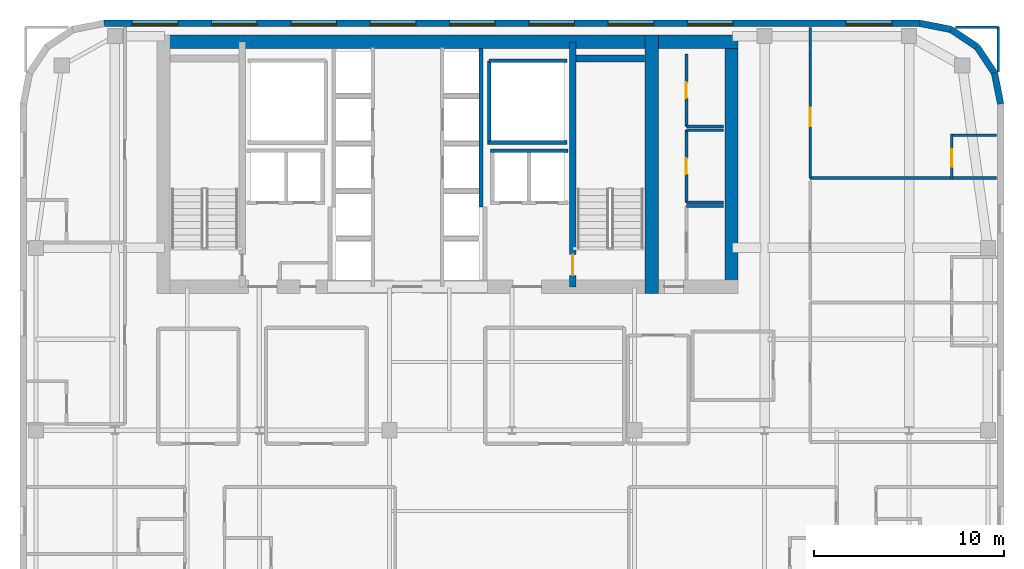
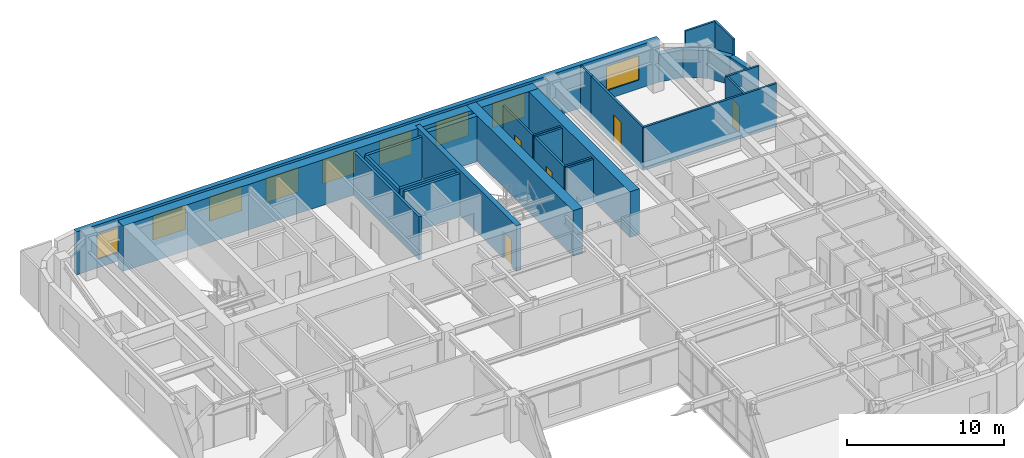
# One storey, part 13 of 15: 29 walls, 9 windows, 5 doors, 14 openings.
"""IFC4 building model written with IfcOpenShell, lengths in metres."""

from ifc_helpers import new_model, si_unit, direction, frame, frame_2d, origin, place, context, subcontext, project, spatial, rectangle, extrude, source, transform, mapped, material, layer, layer_set, type_object, type_shapes, element, fill, save


model = new_model("IFC4")

# Units and contexts
model_context = context("Model", 3, precision=1e-05, world=origin(), true_north=direction((0.0, 1.0)))
body_context = subcontext(model_context, "Body", "Model", "MODEL_VIEW")
ifc_project = project(units=[si_unit("LENGTHUNIT", "METRE"), si_unit("AREAUNIT", "SQUARE_METRE"), si_unit("VOLUMEUNIT", "CUBIC_METRE"), si_unit("PLANEANGLEUNIT", "RADIAN"), si_unit("MASSUNIT", "GRAM", prefix="KILO")], contexts=[model_context])

# Site, building, storey
site_placement = place(None, origin())
site = spatial("IfcSite", under=ifc_project, at=site_placement, CompositionType="ELEMENT")
building_placement = place(site_placement, origin())
building = spatial("IfcBuilding", under=site, at=building_placement, Name="Tolvann Quenvar Hotel", CompositionType="ELEMENT")
storey_placement = place(building_placement, frame((0.0, 0.0, 164.800048828125)))
storey = spatial("IfcBuildingStorey", under=building, at=storey_placement, Name="L43", CompositionType="ELEMENT", Elevation=164.800048828125)

# Walls
ifc_material_1 = material(Name="Concrete S65 (65 MPa)", Category="concrete")
ifc_layer_1 = layer(ifc_material_1, 0.699951171875)
ifc_layer_set_1 = layer_set([ifc_layer_1], Name="Concrete S65 (65 MPa)")
wall_type_1 = type_object("IfcWallType", Name="WALL_CORE_700", PredefinedType="SHEAR", material=ifc_layer_set_1)
wall_1_placement = place(storey_placement, frame((9.800048828125, 44.85009765625, 0.0), z_axis=(0.0, 0.0, 1.0), x_axis=(1.0, 0.0, 0.0)))
element("IfcWall", 1, at=wall_1_placement, inside=storey, type_object=wall_type_1, Name="Rear Core N Shear Wall (L43)", PredefinedType="SHEAR", context=body_context, shape_type="SweptSolid", body=[
    extrude(rectangle(XDim=26.39990234375, YDim=0.699951171875, at=frame_2d((13.199951171875, 0.0))), origin(), (0.0, 0.0, 1.0), 3.550048828125),
])
wall_2_placement = place(storey_placement, frame((35.85009765625, 31.60009765625, 0.0), z_axis=(0.0, 0.0, 1.0), x_axis=(0.0, 1.0, 0.0)))
element("IfcWall", 2, at=wall_2_placement, inside=storey, type_object=wall_type_1, Name="Rear Core E Shear Wall (L43)", PredefinedType="SHEAR", context=body_context, shape_type="SweptSolid", body=[
    extrude(rectangle(XDim=13.599853515625, YDim=0.699951171875, at=frame_2d((6.7998046875, 0.0))), origin(), (0.0, 0.0, 1.0), 3.550048828125),
])
wall_3_placement = place(storey_placement, frame((36.199951171875, 44.85009765625, 0.0), z_axis=(0.0, 0.0, 1.0), x_axis=(1.0, 0.0, 0.0)))
element("IfcWall", 3, at=wall_3_placement, inside=storey, type_object=wall_type_1, Name="Core East Annex Shear Wall ANN-N (L43)", PredefinedType="SHEAR", context=body_context, shape_type="SweptSolid", body=[
    extrude(rectangle(XDim=4.199951171875, YDim=0.699951171875, at=frame_2d((2.10009765625, 0.0))), origin(), (0.0, 0.0, 1.0), 3.550048828125),
])
wall_4_placement = place(storey_placement, frame((40.050048828125, 31.60009765625, 0.0), z_axis=(0.0, 0.0, 1.0), x_axis=(0.0, 1.0, 0.0)))
element("IfcWall", 4, at=wall_4_placement, inside=storey, type_object=wall_type_1, Name="Core East Annex Shear Wall ANN-E (L43)", PredefinedType="SHEAR", context=body_context, shape_type="SweptSolid", body=[
    extrude(rectangle(XDim=13.599853515625, YDim=0.699951171875, at=frame_2d((6.7998046875, 0.0))), origin(), (0.0, 0.0, 1.0), 3.550048828125),
])

# Wall, opening, door
ifc_layer_2 = layer(ifc_material_1, 0.35009765625)
ifc_layer_set_2 = layer_set([ifc_layer_2], Name="Concrete S65 (65 MPa)")
wall_type_2 = type_object("IfcWallType", Name="WALL_CORE_INT_350", PredefinedType="SHEAR", material=ifc_layer_set_2)
wall_5_placement = place(storey_placement, frame((31.699951171875, 31.949951171875, 0.0), z_axis=(0.0, 0.0, 1.0), x_axis=(0.0, 1.0, 0.0)))
wall_5 = element("IfcWall", 5, at=wall_5_placement, inside=storey, type_object=wall_type_2, Name="Core Internal Web Shear Wall WEB-E (L43)", PredefinedType="SHEAR", context=body_context, shape_type="SweptSolid", body=[
    extrude(rectangle(XDim=12.900146484375, YDim=0.35009765625, at=frame_2d((6.4501953125, 0.0))), origin(), (0.0, 0.0, 1.0), 3.550048828125),
])
opening_1_placement = place(wall_5_placement, frame((1.7001953125, 0.0, 0.0), z_axis=(0.0, 0.0, 1.0), x_axis=(-1.0, 0.0, 0.0)))
opening_1 = element("IfcOpeningElement", 6, at=opening_1_placement, cuts=wall_5, Name="Opening FD-120", PredefinedType="OPENING", context=body_context, shape_type="SweptSolid", body=[
    extrude(rectangle(XDim=1.10009765625, YDim=2.1201171875, at=frame_2d((0.550048828125, 1.06005859375))), frame((0.0, 0.18505859375, 0.0), z_axis=(0.0, -1.0, 0.0), x_axis=(1.0, 0.0, 0.0)), (0.0, 0.0, 1.0), 0.3701171875),
])
ifc_material_2 = material(Name="Pressed galvanised steel fire-rated door set", Category="steel")
door_type_1 = type_object("IfcDoorType", Name="DOOR_FIRE_STAIR_1100", OperationType="NOTDEFINED", PredefinedType="DOOR", material=ifc_material_2)
shared_shape_1 = source(origin(), body_context, "Body", "SweptSolid", [
    extrude(rectangle(XDim=1.10009765625, YDim=2.1201171875, at=frame_2d((0.550048828125, 1.06005859375))), frame((0.0, 0.02490234375, 0.0), z_axis=(0.0, -1.0, 0.0), x_axis=(1.0, 0.0, 0.0)), (0.0, 0.0, 1.0), 0.050048828125),
])
type_shapes(door_type_1, [shared_shape_1])
door_1_placement = place(opening_1_placement, origin())
door_1 = element("IfcDoor", 7, at=door_1_placement, inside=storey, type_object=door_type_1, Name="Exit Stair ST-C2 Fire Door (L43)", OperationType="SINGLE_SWING_RIGHT", OverallHeight=2.1201171875, OverallWidth=1.10009765625, PredefinedType="DOOR", context=body_context, shape_type="MappedRepresentation", body=[
    mapped(shared_shape_1, transform((0.0, 0.0, 0.0), x_axis=(1.0, 0.0, 0.0), y_axis=(0.0, 1.0, 0.0), z_axis=(0.0, 0.0, 1.0), scale=1.0)),
])
fill(opening_1, door_1)

# Walls
wall_6_placement = place(storey_placement, frame((31.8798828125, 43.97509765625, 0.0), z_axis=(0.0, 0.0, 1.0), x_axis=(1.0, 0.0, 0.0)))
element("IfcWall", 8, at=wall_6_placement, inside=storey, type_object=wall_type_2, Name="Core Stair North Closing Shear Wall STC2-N (L43)", PredefinedType="SHEAR", context=body_context, shape_type="SweptSolid", body=[
    extrude(rectangle(XDim=3.60009765625, YDim=0.35009765625, at=frame_2d((1.800048828125, 0.0))), origin(), (0.0, 0.0, 1.0), 3.550048828125),
])
ifc_material_3 = material(Name="Kiln-fired red and buff architectural clay brickwork and terracotta masonry", Category="masonry")
ifc_layer_3 = layer(ifc_material_3, 0.35009765625)
ifc_layer_set_3 = layer_set([ifc_layer_3], Name="Kiln-fired red and buff architectural clay brickwork and terracotta masonry")
wall_type_3 = type_object("IfcWallType", Name="WALL_EXT_BRICK_350", PredefinedType="SOLIDWALL", material=ifc_layer_set_3)
wall_7_placement = place(storey_placement, frame((54.22509765625, 41.582763671875, 0.0), z_axis=(0.0, 0.0, 1.0), x_axis=(-0.195044345786, 0.980794424524, 0.0)))
element("IfcWall", 9, at=wall_7_placement, inside=storey, type_object=wall_type_3, Name="Exterior Chicago Brick Wall L43-E14", PredefinedType="SOLIDWALL", context=body_context, shape_type="SweptSolid", body=[
    extrude(rectangle(XDim=1.664794921875, YDim=0.35009765625, at=frame_2d((0.83251953125, 0.0))), origin(), (0.0, 0.0, 1.0), 2.159912109375),
])
for number, where, z_axis, x_axis, name in (
    (10, (53.900390625, 43.215576171875, 0.0), (0.0, 0.0, 1.0), (-0.555623290322, 0.831434158098, 0.0), "Exterior Chicago Brick Wall L43-E15"),
    (11, (52.985107421875, 44.585205078125, 0.0), (0.0, 0.0, 1.0), (-0.831502623162, 0.555520825599, 0.0), "Exterior Chicago Brick Wall L43-E16"),
):
    element("IfcWall", number, at=place(storey_placement, frame(where, z_axis=z_axis, x_axis=x_axis)), inside=storey, type_object=wall_type_3, Name=name, PredefinedType="SOLIDWALL", context=body_context, shape_type="SweptSolid", body=[
        extrude(rectangle(XDim=1.647216796875, YDim=0.35009765625, at=frame_2d((0.82373046875, 0.0))), origin(), (0.0, 0.0, 1.0), 2.159912109375),
    ])
wall_8_placement = place(storey_placement, frame((51.615478515625, 45.500244140625, 0.0), z_axis=(0.0, 0.0, 1.0), x_axis=(-0.980788844421, 0.195072403631, 0.0)))
element("IfcWall", 12, at=wall_8_placement, inside=storey, type_object=wall_type_3, Name="Exterior Chicago Brick Wall L43-E17", PredefinedType="SOLIDWALL", context=body_context, shape_type="SweptSolid", body=[
    extrude(rectangle(XDim=1.66455078125, YDim=0.35009765625, at=frame_2d((0.832275390625, 0.0))), origin(), (0.0, 0.0, 1.0), 2.159912109375),
])

# Wall, openings, windows
wall_9_placement = place(storey_placement, frame((49.98291015625, 45.824951171875, 0.0), z_axis=(0.0, 0.0, 1.0), x_axis=(-1.0, 0.0, 0.0)))
wall_9 = element("IfcWall", 13, at=wall_9_placement, inside=storey, type_object=wall_type_3, Name="Exterior Chicago Brick Wall L43-E18", PredefinedType="SOLIDWALL", context=body_context, shape_type="SweptSolid", body=[
    extrude(rectangle(XDim=42.9658203125, YDim=0.35009765625, at=frame_2d((21.48291015625, 0.0))), origin(), (0.0, 0.0, 1.0), 3.369873046875),
])
opening_2_placement = place(wall_9_placement, frame((1.488037109375, 0.0, 0.679931640625)))
opening_2 = element("IfcOpeningElement", 14, at=opening_2_placement, cuts=wall_9, Name="Opening W-01", PredefinedType="OPENING", context=body_context, shape_type="SweptSolid", body=[
    extrude(rectangle(XDim=2.39990234375, YDim=1.89990234375, at=frame_2d((1.199951171875, 0.949951171875))), frame((0.0, 0.18505859375, 0.0), z_axis=(0.0, -1.0, 0.0), x_axis=(1.0, 0.0, 0.0)), (0.0, 0.0, 1.0), 0.3701171875),
])
opening_3_placement = place(wall_9_placement, frame((9.841064453125, 0.0, 0.679931640625)))
opening_3 = element("IfcOpeningElement", 15, at=opening_3_placement, cuts=wall_9, Name="Opening W-01", PredefinedType="OPENING", context=body_context, shape_type="SweptSolid", body=[
    extrude(rectangle(XDim=2.39990234375, YDim=1.89990234375, at=frame_2d((1.199951171875, 0.949951171875))), frame((0.0, 0.18505859375, 0.0), z_axis=(0.0, -1.0, 0.0), x_axis=(1.0, 0.0, 0.0)), (0.0, 0.0, 1.0), 0.3701171875),
])
opening_4_placement = place(wall_9_placement, frame((14.01806640625, 0.0, 0.679931640625)))
opening_4 = element("IfcOpeningElement", 16, at=opening_4_placement, cuts=wall_9, Name="Opening W-01", PredefinedType="OPENING", context=body_context, shape_type="SweptSolid", body=[
    extrude(rectangle(XDim=2.39990234375, YDim=1.89990234375, at=frame_2d((1.199951171875, 0.949951171875))), frame((0.0, 0.18505859375, 0.0), z_axis=(0.0, -1.0, 0.0), x_axis=(1.0, 0.0, 0.0)), (0.0, 0.0, 1.0), 0.3701171875),
])
opening_5_placement = place(wall_9_placement, frame((18.195068359375, 0.0, 0.679931640625)))
opening_5 = element("IfcOpeningElement", 17, at=opening_5_placement, cuts=wall_9, Name="Opening W-01", PredefinedType="OPENING", context=body_context, shape_type="SweptSolid", body=[
    extrude(rectangle(XDim=2.39990234375, YDim=1.89990234375, at=frame_2d((1.199951171875, 0.949951171875))), frame((0.0, 0.18505859375, 0.0), z_axis=(0.0, -1.0, 0.0), x_axis=(1.0, 0.0, 0.0)), (0.0, 0.0, 1.0), 0.3701171875),
])
opening_6_placement = place(wall_9_placement, frame((22.37109375, 0.0, 0.679931640625)))
opening_6 = element("IfcOpeningElement", 18, at=opening_6_placement, cuts=wall_9, Name="Opening W-01", PredefinedType="OPENING", context=body_context, shape_type="SweptSolid", body=[
    extrude(rectangle(XDim=2.39990234375, YDim=1.89990234375, at=frame_2d((1.199951171875, 0.949951171875))), frame((0.0, 0.18505859375, 0.0), z_axis=(0.0, -1.0, 0.0), x_axis=(1.0, 0.0, 0.0)), (0.0, 0.0, 1.0), 0.3701171875),
])
opening_7_placement = place(wall_9_placement, frame((26.548095703125, 0.0, 0.679931640625)))
opening_7 = element("IfcOpeningElement", 19, at=opening_7_placement, cuts=wall_9, Name="Opening W-01", PredefinedType="OPENING", context=body_context, shape_type="SweptSolid", body=[
    extrude(rectangle(XDim=2.39990234375, YDim=1.89990234375, at=frame_2d((1.199951171875, 0.949951171875))), frame((0.0, 0.18505859375, 0.0), z_axis=(0.0, -1.0, 0.0), x_axis=(1.0, 0.0, 0.0)), (0.0, 0.0, 1.0), 0.3701171875),
])
opening_8_placement = place(wall_9_placement, frame((30.72412109375, 0.0, 0.679931640625)))
opening_8 = element("IfcOpeningElement", 20, at=opening_8_placement, cuts=wall_9, Name="Opening W-01", PredefinedType="OPENING", context=body_context, shape_type="SweptSolid", body=[
    extrude(rectangle(XDim=2.39990234375, YDim=1.89990234375, at=frame_2d((1.199951171875, 0.949951171875))), frame((0.0, 0.18505859375, 0.0), z_axis=(0.0, -1.0, 0.0), x_axis=(1.0, 0.0, 0.0)), (0.0, 0.0, 1.0), 0.3701171875),
])
opening_9_placement = place(wall_9_placement, frame((34.90087890625, 0.0, 0.679931640625)))
opening_9 = element("IfcOpeningElement", 21, at=opening_9_placement, cuts=wall_9, Name="Opening W-01", PredefinedType="OPENING", context=body_context, shape_type="SweptSolid", body=[
    extrude(rectangle(XDim=2.39990234375, YDim=1.89990234375, at=frame_2d((1.199951171875, 0.949951171875))), frame((0.0, 0.18505859375, 0.0), z_axis=(0.0, -1.0, 0.0), x_axis=(1.0, 0.0, 0.0)), (0.0, 0.0, 1.0), 0.3701171875),
])
opening_10_placement = place(wall_9_placement, frame((39.076904296875, 0.0, 0.679931640625)))
opening_10 = element("IfcOpeningElement", 22, at=opening_10_placement, cuts=wall_9, Name="Opening W-01", PredefinedType="OPENING", context=body_context, shape_type="SweptSolid", body=[
    extrude(rectangle(XDim=2.39990234375, YDim=1.89990234375, at=frame_2d((1.199951171875, 0.949951171875))), frame((0.0, 0.18505859375, 0.0), z_axis=(0.0, -1.0, 0.0), x_axis=(1.0, 0.0, 0.0)), (0.0, 0.0, 1.0), 0.3701171875),
])
ifc_material_4 = material(Name="Thermally broken bronze-anodised aluminium frame with double low-E glazing", Category="aluminium")
window_type = type_object("IfcWindowType", Name="WIN_CHI_2400x2050", PartitioningType="TRIPLE_PANEL_HORIZONTAL", PredefinedType="WINDOW", material=ifc_material_4)
shared_shape_2 = source(origin(), body_context, "Body", "SweptSolid", [
    extrude(rectangle(XDim=2.39990234375, YDim=1.89990234375, at=frame_2d((1.199951171875, 0.949951171875))), frame((0.0, 0.090087890625, 0.0), z_axis=(0.0, -1.0, 0.0), x_axis=(1.0, 0.0, 0.0)), (0.0, 0.0, 1.0), 0.06005859375),
])
type_shapes(window_type, [shared_shape_2])
window_1_placement = place(opening_2_placement, origin())
window_1 = element("IfcWindow", 23, at=window_1_placement, inside=storey, type_object=window_type, Name="Chicago Window W-01 (EW-L43-E18-W01)", OverallHeight=1.89990234375, OverallWidth=2.39990234375, PartitioningType="TRIPLE_PANEL_HORIZONTAL", PredefinedType="WINDOW", context=body_context, shape_type="MappedRepresentation", body=[
    mapped(shared_shape_2, transform((0.0, 0.0, 0.0), x_axis=(1.0, 0.0, 0.0), y_axis=(0.0, 1.0, 0.0), z_axis=(0.0, 0.0, 1.0), scale=1.0)),
])
fill(opening_2, window_1)
window_2_placement = place(opening_3_placement, origin())
window_2 = element("IfcWindow", 24, at=window_2_placement, inside=storey, type_object=window_type, Name="Chicago Window W-01 (EW-L43-E18-W02)", OverallHeight=1.89990234375, OverallWidth=2.39990234375, PartitioningType="TRIPLE_PANEL_HORIZONTAL", PredefinedType="WINDOW", context=body_context, shape_type="MappedRepresentation", body=[
    mapped(shared_shape_2, transform((0.0, 0.0, 0.0), x_axis=(1.0, 0.0, 0.0), y_axis=(0.0, 1.0, 0.0), z_axis=(0.0, 0.0, 1.0), scale=1.0)),
])
fill(opening_3, window_2)
window_3_placement = place(opening_4_placement, origin())
window_3 = element("IfcWindow", 25, at=window_3_placement, inside=storey, type_object=window_type, Name="Chicago Window W-01 (EW-L43-E18-W03)", OverallHeight=1.89990234375, OverallWidth=2.39990234375, PartitioningType="TRIPLE_PANEL_HORIZONTAL", PredefinedType="WINDOW", context=body_context, shape_type="MappedRepresentation", body=[
    mapped(shared_shape_2, transform((0.0, 0.0, 0.0), x_axis=(1.0, 0.0, 0.0), y_axis=(0.0, 1.0, 0.0), z_axis=(0.0, 0.0, 1.0), scale=1.0)),
])
fill(opening_4, window_3)
window_4_placement = place(opening_5_placement, origin())
window_4 = element("IfcWindow", 26, at=window_4_placement, inside=storey, type_object=window_type, Name="Chicago Window W-01 (EW-L43-E18-W04)", OverallHeight=1.89990234375, OverallWidth=2.39990234375, PartitioningType="TRIPLE_PANEL_HORIZONTAL", PredefinedType="WINDOW", context=body_context, shape_type="MappedRepresentation", body=[
    mapped(shared_shape_2, transform((0.0, 0.0, 0.0), x_axis=(1.0, 0.0, 0.0), y_axis=(0.0, 1.0, 0.0), z_axis=(0.0, 0.0, 1.0), scale=1.0)),
])
fill(opening_5, window_4)
window_5_placement = place(opening_6_placement, origin())
window_5 = element("IfcWindow", 27, at=window_5_placement, inside=storey, type_object=window_type, Name="Chicago Window W-01 (EW-L43-E18-W05)", OverallHeight=1.89990234375, OverallWidth=2.39990234375, PartitioningType="TRIPLE_PANEL_HORIZONTAL", PredefinedType="WINDOW", context=body_context, shape_type="MappedRepresentation", body=[
    mapped(shared_shape_2, transform((0.0, 0.0, 0.0), x_axis=(1.0, 0.0, 0.0), y_axis=(0.0, 1.0, 0.0), z_axis=(0.0, 0.0, 1.0), scale=1.0)),
])
fill(opening_6, window_5)
window_6_placement = place(opening_7_placement, origin())
window_6 = element("IfcWindow", 28, at=window_6_placement, inside=storey, type_object=window_type, Name="Chicago Window W-01 (EW-L43-E18-W06)", OverallHeight=1.89990234375, OverallWidth=2.39990234375, PartitioningType="TRIPLE_PANEL_HORIZONTAL", PredefinedType="WINDOW", context=body_context, shape_type="MappedRepresentation", body=[
    mapped(shared_shape_2, transform((0.0, 0.0, 0.0), x_axis=(1.0, 0.0, 0.0), y_axis=(0.0, 1.0, 0.0), z_axis=(0.0, 0.0, 1.0), scale=1.0)),
])
fill(opening_7, window_6)
window_7_placement = place(opening_8_placement, origin())
window_7 = element("IfcWindow", 29, at=window_7_placement, inside=storey, type_object=window_type, Name="Chicago Window W-01 (EW-L43-E18-W07)", OverallHeight=1.89990234375, OverallWidth=2.39990234375, PartitioningType="TRIPLE_PANEL_HORIZONTAL", PredefinedType="WINDOW", context=body_context, shape_type="MappedRepresentation", body=[
    mapped(shared_shape_2, transform((0.0, 0.0, 0.0), x_axis=(1.0, 0.0, 0.0), y_axis=(0.0, 1.0, 0.0), z_axis=(0.0, 0.0, 1.0), scale=1.0)),
])
fill(opening_8, window_7)
window_8_placement = place(opening_9_placement, origin())
window_8 = element("IfcWindow", 30, at=window_8_placement, inside=storey, type_object=window_type, Name="Chicago Window W-01 (EW-L43-E18-W08)", OverallHeight=1.89990234375, OverallWidth=2.39990234375, PartitioningType="TRIPLE_PANEL_HORIZONTAL", PredefinedType="WINDOW", context=body_context, shape_type="MappedRepresentation", body=[
    mapped(shared_shape_2, transform((0.0, 0.0, 0.0), x_axis=(1.0, 0.0, 0.0), y_axis=(0.0, 1.0, 0.0), z_axis=(0.0, 0.0, 1.0), scale=1.0)),
])
fill(opening_9, window_8)
window_9_placement = place(opening_10_placement, origin())
window_9 = element("IfcWindow", 31, at=window_9_placement, inside=storey, type_object=window_type, Name="Chicago Window W-01 (EW-L43-E18-W09)", OverallHeight=1.89990234375, OverallWidth=2.39990234375, PartitioningType="TRIPLE_PANEL_HORIZONTAL", PredefinedType="WINDOW", context=body_context, shape_type="MappedRepresentation", body=[
    mapped(shared_shape_2, transform((0.0, 0.0, 0.0), x_axis=(1.0, 0.0, 0.0), y_axis=(0.0, 1.0, 0.0), z_axis=(0.0, 0.0, 1.0), scale=1.0)),
])
fill(opening_10, window_9)

# Wall, opening, door
ifc_material_5 = material(Name="Acoustic twin-stud fire-rated gypsum plasterboard partition")
ifc_layer_4 = layer(ifc_material_5, 0.14990234375)
ifc_layer_set_4 = layer_set([ifc_layer_4], Name="Acoustic twin-stud fire-rated gypsum plasterboard partition")
wall_type_4 = type_object("IfcWallType", Name="WALL_PART_SUITE_150", PredefinedType="PARTITIONING", material=ifc_layer_set_4)
wall_10_placement = place(storey_placement, frame((51.64990234375, 37.610107421875, 0.0), z_axis=(0.0, 0.0, 1.0), x_axis=(0.0, 1.0, 0.0)))
wall_10 = element("IfcWall", 32, at=wall_10_placement, inside=storey, type_object=wall_type_4, Name="Interior Partition PT-SPC-L43-ENS-NE03-ENT", PredefinedType="PARTITIONING", context=body_context, shape_type="SweptSolid", body=[
    extrude(rectangle(XDim=2.389892578125, YDim=0.14990234375, at=frame_2d((1.19482421875, 0.0))), origin(), (0.0, 0.0, 1.0), 3.369873046875),
])
opening_11_placement = place(wall_10_placement, frame((0.6650390625, 0.0, 0.0)))
opening_11 = element("IfcOpeningElement", 33, at=opening_11_placement, cuts=wall_10, Name="Opening WD-01", PredefinedType="OPENING", context=body_context, shape_type="SweptSolid", body=[
    extrude(rectangle(XDim=0.919921875, YDim=2.010009765625, at=frame_2d((0.4599609375, 1.0048828125))), frame((0.0, 0.0849609375, 0.0), z_axis=(0.0, -1.0, 0.0), x_axis=(1.0, 0.0, 0.0)), (0.0, 0.0, 1.0), 0.169921875),
])
ifc_material_6 = material(Name="Solid-core American oak acoustic fire door leaf in steel frame", Category="steel")
door_type_2 = type_object("IfcDoorType", Name="DOOR_WC_920", OperationType="NOTDEFINED", PredefinedType="DOOR", material=ifc_material_6)
shared_shape_3 = source(origin(), body_context, "Body", "SweptSolid", [
    extrude(rectangle(XDim=0.919921875, YDim=2.010009765625, at=frame_2d((0.4599609375, 1.0048828125))), frame((0.0, 0.02490234375, 0.0), z_axis=(0.0, -1.0, 0.0), x_axis=(1.0, 0.0, 0.0)), (0.0, 0.0, 1.0), 0.050048828125),
])
type_shapes(door_type_2, [shared_shape_3])
door_2_placement = place(opening_11_placement, origin())
door_2 = element("IfcDoor", 34, at=door_2_placement, inside=storey, type_object=door_type_2, Name="Interior Door DOOR-SPC-L43-ENS-NE03", OperationType="SINGLE_SWING_LEFT", OverallHeight=2.010009765625, OverallWidth=0.919921875, PredefinedType="DOOR", context=body_context, shape_type="MappedRepresentation", body=[
    mapped(shared_shape_3, transform((0.0, 0.0, 0.0), x_axis=(1.0, 0.0, 0.0), y_axis=(0.0, 1.0, 0.0), z_axis=(0.0, 0.0, 1.0), scale=1.0)),
])
fill(opening_11, door_2)

# Walls
wall_11_placement = place(storey_placement, frame((44.199951171875, 37.679931640625, 0.0), z_axis=(0.0, 0.0, 1.0), x_axis=(1.0, 0.0, 0.0)))
element("IfcWall", 35, at=wall_11_placement, inside=storey, type_object=wall_type_4, Name="Interior Partition PT-SPC-L43-ENS-NE03-S", PredefinedType="PARTITIONING", context=body_context, shape_type="SweptSolid", body=[
    extrude(rectangle(XDim=9.795166015625, YDim=0.14990234375, at=frame_2d((4.8974609375, 0.0))), origin(), (0.0, 0.0, 1.0), 3.369873046875),
])
wall_12_placement = place(storey_placement, frame((51.580078125, 39.929931640625, 0.0), z_axis=(0.0, 0.0, 1.0), x_axis=(1.0, 0.0, 0.0)))
element("IfcWall", 36, at=wall_12_placement, inside=storey, type_object=wall_type_4, Name="Interior Partition PT-SPC-L43-ENS-NE03-N", PredefinedType="PARTITIONING", context=body_context, shape_type="SweptSolid", body=[
    extrude(rectangle(XDim=2.4150390625, YDim=0.14990234375, at=frame_2d((1.20751953125, 0.0))), origin(), (0.0, 0.0, 1.0), 3.369873046875),
])
for number, where, z_axis, x_axis, name in (
    (37, (37.679931640625, 36.199951171875, 0.0), (0.0, 0.0, 1.0), (1.0, 0.0, 0.0), "Interior Partition PT-SPC-L43-RECPL-1-N"),
    (38, (37.679931640625, 36.39990234375, 0.0), (0.0, 0.0, 1.0), (1.0, 0.0, 0.0), "Interior Partition PT-SPC-L43-CSE-1-S"),
    (39, (37.679931640625, 40.199951171875, 0.0), (0.0, 0.0, 1.0), (1.0, 0.0, 0.0), "Interior Partition PT-SPC-L43-CSE-1-N"),
):
    element("IfcWall", number, at=place(storey_placement, frame(where, z_axis=z_axis, x_axis=x_axis)), inside=storey, type_object=wall_type_4, Name=name, PredefinedType="PARTITIONING", context=body_context, shape_type="SweptSolid", body=[
        extrude(rectangle(XDim=1.965087890625, YDim=0.14990234375, at=frame_2d((0.982421875, 0.0))), origin(), (0.0, 0.0, 1.0), 3.369873046875),
    ])

# Wall, opening, door
wall_13_placement = place(storey_placement, frame((37.679931640625, 36.39990234375, 0.0), z_axis=(0.0, 0.0, 1.0), x_axis=(0.0, 1.0, 0.0)))
wall_13 = element("IfcWall", 40, at=wall_13_placement, inside=storey, type_object=wall_type_4, Name="Interior Partition PT-SPC-L43-CSE-1-W", PredefinedType="PARTITIONING", context=body_context, shape_type="SweptSolid", body=[
    extrude(rectangle(XDim=3.800048828125, YDim=0.14990234375, at=frame_2d((1.89990234375, 0.0))), origin(), (0.0, 0.0, 1.0), 3.369873046875),
])
opening_12_placement = place(wall_13_placement, frame((1.489990234375, 0.0, 0.0)))
opening_12 = element("IfcOpeningElement", 41, at=opening_12_placement, cuts=wall_13, Name="Opening HD-02", PredefinedType="OPENING", context=body_context, shape_type="SweptSolid", body=[
    extrude(rectangle(XDim=0.820068359375, YDim=2.010009765625, at=frame_2d((0.41015625, 1.0048828125))), frame((0.0, 0.0849609375, 0.0), z_axis=(0.0, -1.0, 0.0), x_axis=(1.0, 0.0, 0.0)), (0.0, 0.0, 1.0), 0.169921875),
])
door_type_3 = type_object("IfcDoorType", Name="DOOR_STORE_820", OperationType="NOTDEFINED", PredefinedType="DOOR", material=ifc_material_2)
shared_shape_4 = source(origin(), body_context, "Body", "SweptSolid", [
    extrude(rectangle(XDim=0.820068359375, YDim=2.010009765625, at=frame_2d((0.41015625, 1.0048828125))), frame((0.0, 0.02490234375, 0.0), z_axis=(0.0, -1.0, 0.0), x_axis=(1.0, 0.0, 0.0)), (0.0, 0.0, 1.0), 0.050048828125),
])
type_shapes(door_type_3, [shared_shape_4])
door_3_placement = place(opening_12_placement, origin())
door_3 = element("IfcDoor", 42, at=door_3_placement, inside=storey, type_object=door_type_3, Name="Interior Door DOOR-SPC-L43-CSE-1", OperationType="SINGLE_SWING_LEFT", OverallHeight=2.010009765625, OverallWidth=0.820068359375, PredefinedType="DOOR", context=body_context, shape_type="MappedRepresentation", body=[
    mapped(shared_shape_4, transform((0.0, 0.0, 0.0), x_axis=(1.0, 0.0, 0.0), y_axis=(0.0, 1.0, 0.0), z_axis=(0.0, 0.0, 1.0), scale=1.0)),
])
fill(opening_12, door_3)

# Wall
wall_14_placement = place(storey_placement, frame((37.679931640625, 40.39990234375, 0.0), z_axis=(0.0, 0.0, 1.0), x_axis=(1.0, 0.0, 0.0)))
element("IfcWall", 43, at=wall_14_placement, inside=storey, type_object=wall_type_4, Name="Interior Partition PT-SPC-L43-CSE-2-S", PredefinedType="PARTITIONING", context=body_context, shape_type="SweptSolid", body=[
    extrude(rectangle(XDim=1.965087890625, YDim=0.14990234375, at=frame_2d((0.982421875, 0.0))), origin(), (0.0, 0.0, 1.0), 3.369873046875),
])

# Wall, opening, door
wall_15_placement = place(storey_placement, frame((37.679931640625, 40.39990234375, 0.0), z_axis=(0.0, 0.0, 1.0), x_axis=(0.0, 1.0, 0.0)))
wall_15 = element("IfcWall", 44, at=wall_15_placement, inside=storey, type_object=wall_type_4, Name="Interior Partition PT-SPC-L43-CSE-2-W", PredefinedType="PARTITIONING", context=body_context, shape_type="SweptSolid", body=[
    extrude(rectangle(XDim=3.800048828125, YDim=0.14990234375, at=frame_2d((1.89990234375, 0.0))), origin(), (0.0, 0.0, 1.0), 3.369873046875),
])
opening_13_placement = place(wall_15_placement, frame((1.489990234375, 0.0, 0.0)))
opening_13 = element("IfcOpeningElement", 45, at=opening_13_placement, cuts=wall_15, Name="Opening HD-02", PredefinedType="OPENING", context=body_context, shape_type="SweptSolid", body=[
    extrude(rectangle(XDim=0.820068359375, YDim=2.010009765625, at=frame_2d((0.41015625, 1.0048828125))), frame((0.0, 0.0849609375, 0.0), z_axis=(0.0, -1.0, 0.0), x_axis=(1.0, 0.0, 0.0)), (0.0, 0.0, 1.0), 0.169921875),
])
door_4_placement = place(opening_13_placement, origin())
door_4 = element("IfcDoor", 46, at=door_4_placement, inside=storey, type_object=door_type_3, Name="Interior Door DOOR-SPC-L43-CSE-2", OperationType="SINGLE_SWING_RIGHT", OverallHeight=2.010009765625, OverallWidth=0.820068359375, PredefinedType="DOOR", context=body_context, shape_type="MappedRepresentation", body=[
    mapped(shared_shape_4, transform((0.0, 0.0, 0.0), x_axis=(1.0, 0.0, 0.0), y_axis=(0.0, 1.0, 0.0), z_axis=(0.0, 0.0, 1.0), scale=1.0)),
])
fill(opening_13, door_4)

wall_16_placement = place(storey_placement, frame((44.199951171875, 37.679931640625, 0.0), z_axis=(0.0, 0.0, 1.0), x_axis=(0.0, 1.0, 0.0)))
wall_16 = element("IfcWall", 47, at=wall_16_placement, inside=storey, type_object=wall_type_4, Name="Interior Partition PT-SPC-L43-RM-NE03-ENT", PredefinedType="PARTITIONING", context=body_context, shape_type="SweptSolid", body=[
    extrude(rectangle(XDim=6.530029296875, YDim=0.14990234375, at=frame_2d((3.26513671875, 0.0))), origin(), (0.0, 0.0, 1.0), 3.369873046875),
])
opening_14_placement = place(wall_16_placement, frame((2.719970703125, 0.0, 0.0)))
opening_14 = element("IfcOpeningElement", 48, at=opening_14_placement, cuts=wall_16, Name="Opening SD-01", PredefinedType="OPENING", context=body_context, shape_type="SweptSolid", body=[
    extrude(rectangle(XDim=0.97998046875, YDim=2.1201171875, at=frame_2d((0.489990234375, 1.06005859375))), frame((0.0, 0.0849609375, 0.0), z_axis=(0.0, -1.0, 0.0), x_axis=(1.0, 0.0, 0.0)), (0.0, 0.0, 1.0), 0.169921875),
])
door_type_4 = type_object("IfcDoorType", Name="DOOR_SUITE_980", OperationType="NOTDEFINED", PredefinedType="DOOR", material=ifc_material_6)
shared_shape_5 = source(origin(), body_context, "Body", "SweptSolid", [
    extrude(rectangle(XDim=0.97998046875, YDim=2.1201171875, at=frame_2d((0.489990234375, 1.06005859375))), frame((0.0, 0.02490234375, 0.0), z_axis=(0.0, -1.0, 0.0), x_axis=(1.0, 0.0, 0.0)), (0.0, 0.0, 1.0), 0.050048828125),
])
type_shapes(door_type_4, [shared_shape_5])
door_5_placement = place(opening_14_placement, origin())
door_5 = element("IfcDoor", 49, at=door_5_placement, inside=storey, type_object=door_type_4, Name="Interior Door DOOR-SPC-L43-RM-NE03", OperationType="SINGLE_SWING_LEFT", OverallHeight=2.1201171875, OverallWidth=0.97998046875, PredefinedType="DOOR", context=body_context, shape_type="MappedRepresentation", body=[
    mapped(shared_shape_5, transform((0.0, 0.0, 0.0), x_axis=(1.0, 0.0, 0.0), y_axis=(0.0, 1.0, 0.0), z_axis=(0.0, 0.0, 1.0), scale=1.0)),
])
fill(opening_14, door_5)

# Walls
wall_17_placement = place(storey_placement, frame((54.10009765625, 43.2548828125, 0.0), z_axis=(0.0, 0.0, 1.0), x_axis=(0.0, 1.0, 0.0)))
element("IfcWall", 50, at=wall_17_placement, inside=storey, type_object=wall_type_4, Name="Interior Partition PT-SPC-L43-RM-NE03-E4", PredefinedType="PARTITIONING", context=body_context, shape_type="SweptSolid", body=[
    extrude(rectangle(XDim=2.365234375, YDim=0.14990234375, at=frame_2d((1.1826171875, 0.0))), origin(), (0.0, 0.0, 1.0), 3.369873046875),
])
wall_18_placement = place(storey_placement, frame((51.85009765625, 45.6201171875, 0.0), z_axis=(0.0, 0.0, 1.0), x_axis=(1.0, 0.0, 0.0)))
element("IfcWall", 51, at=wall_18_placement, inside=storey, type_object=wall_type_4, Name="Interior Partition PT-SPC-L43-RM-NE03-E5", PredefinedType="PARTITIONING", context=body_context, shape_type="SweptSolid", body=[
    extrude(rectangle(XDim=2.25, YDim=0.14990234375, at=frame_2d((1.125, 0.0))), origin(), (0.0, 0.0, 1.0), 3.369873046875),
])
wall_19_placement = place(storey_placement, frame((44.199951171875, 44.219970703125, 0.0), z_axis=(0.0, 0.0, 1.0), x_axis=(0.0, 1.0, 0.0)))
element("IfcWall", 52, at=wall_19_placement, inside=storey, type_object=wall_type_4, Name="Interior Partition PT-SPC-L43-RM-NE03-E6", PredefinedType="PARTITIONING", context=body_context, shape_type="SweptSolid", body=[
    extrude(rectangle(XDim=1.375, YDim=0.14990234375, at=frame_2d((0.6875, 0.0))), origin(), (0.0, 0.0, 1.0), 3.369873046875),
])
ifc_material_7 = material(Name="Concrete N40 (40 MPa)", Category="concrete")
ifc_layer_5 = layer(ifc_material_7, 0.199951171875)
ifc_layer_set_5 = layer_set([ifc_layer_5], Name="Concrete N40 (40 MPa)")
wall_type_5 = type_object("IfcWallType", Name="WALL_SHAFT_200", PredefinedType="SOLIDWALL", material=ifc_layer_set_5)
wall_20_placement = place(storey_placement, frame((27.300048828125, 39.449951171875, 0.0), z_axis=(0.0, 0.0, 1.0), x_axis=(0.0, 1.0, 0.0)))
element("IfcWall", 53, at=wall_20_placement, inside=storey, type_object=wall_type_5, Name="Service Riser E Shaft Wall IN (L43)", PredefinedType="SOLIDWALL", context=body_context, shape_type="SweptSolid", body=[
    extrude(rectangle(XDim=4.400146484375, YDim=0.199951171875, at=frame_2d((2.2001953125, 0.0))), origin(), (0.0, 0.0, 1.0), 3.369873046875),
])
for number, where, z_axis, x_axis, name in (
    (54, (27.300048828125, 39.550048828125, 0.0), (0.0, 0.0, 1.0), (1.0, 0.0, 0.0), "Service Riser E Shaft Wall S (L43)"),
    (55, (27.300048828125, 43.85009765625, 0.0), (0.0, 0.0, 1.0), (1.0, 0.0, 0.0), "Service Riser E Shaft Wall N (L43)"),
):
    element("IfcWall", number, at=place(storey_placement, frame(where, z_axis=z_axis, x_axis=x_axis)), inside=storey, type_object=wall_type_5, Name=name, PredefinedType="SOLIDWALL", context=body_context, shape_type="SweptSolid", body=[
        extrude(rectangle(XDim=4.099853515625, YDim=0.199951171875, at=frame_2d((2.0498046875, 0.0))), origin(), (0.0, 0.0, 1.0), 3.369873046875),
    ])
wall_21_placement = place(storey_placement, frame((27.375, 39.1201171875, 0.0), z_axis=(0.0, 0.0, 1.0), x_axis=(1.0, 0.0, 0.0)))
element("IfcWall", 56, at=wall_21_placement, inside=storey, type_object=wall_type_5, Name="Lift Bank SEC1 Hoistway Rear Wall (L43)", PredefinedType="SOLIDWALL", context=body_context, shape_type="SweptSolid", body=[
    extrude(rectangle(XDim=4.074951171875, YDim=0.199951171875, at=frame_2d((2.03759765625, 0.0))), origin(), (0.0, 0.0, 1.0), 3.369873046875),
])
wall_22_placement = place(storey_placement, frame((26.8701171875, 36.159912109375, 0.0), z_axis=(0.0, 0.0, 1.0), x_axis=(0.0, 1.0, 0.0)))
element("IfcWall", 57, at=wall_22_placement, inside=storey, type_object=wall_type_5, Name="Lift Bank W24.9C1 Hoistway Rear Wall (L43)", PredefinedType="SOLIDWALL", context=body_context, shape_type="SweptSolid", body=[
    extrude(rectangle(XDim=8.336181640625, YDim=0.199951171875, at=frame_2d((4.16796875, 0.0))), origin(), (0.0, 0.0, 1.0), 3.369873046875),
])

save(model, "model.ifc")
